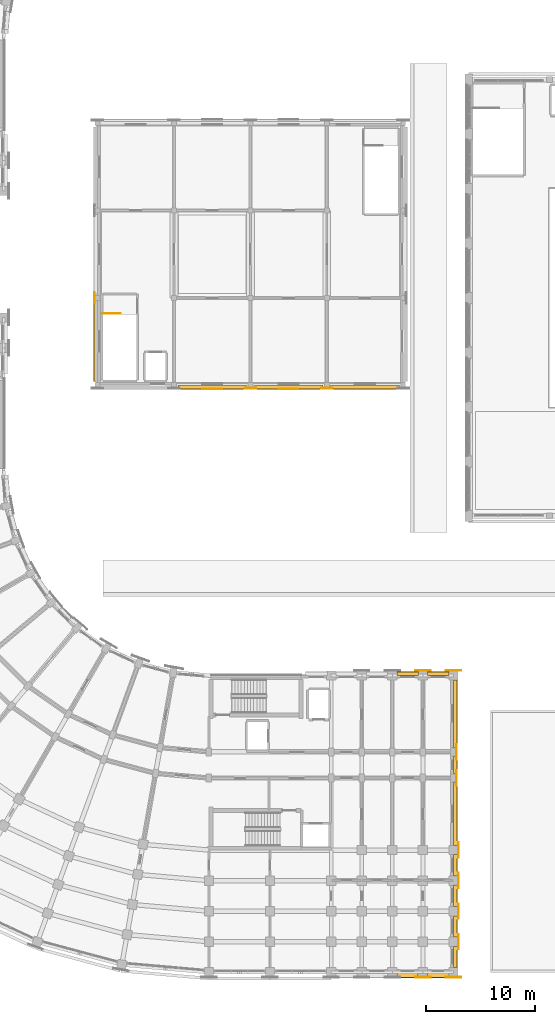
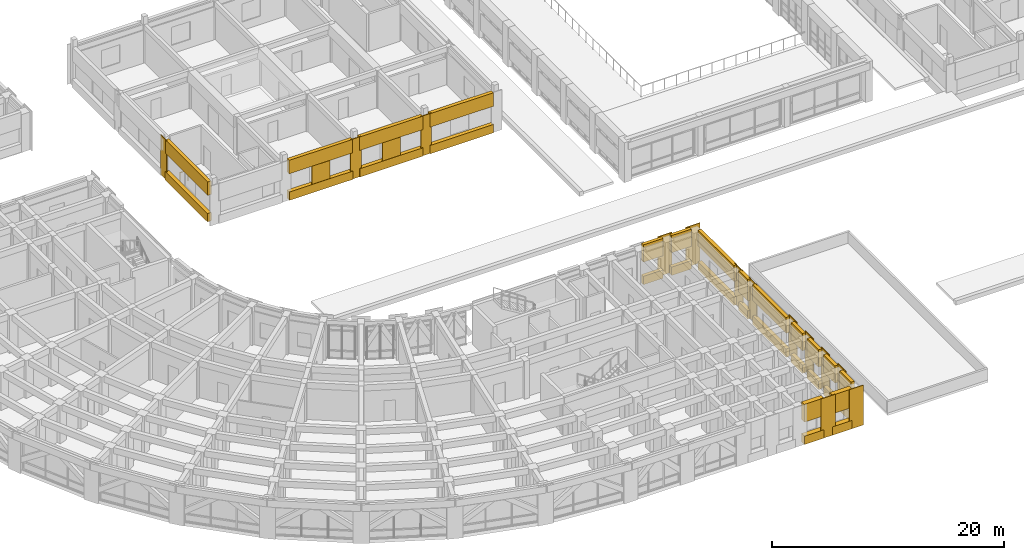
# One storey, part 85 of 97: 43 coverings, 2 shading devices, 1 railing.
"""IFC4 building model written with IfcOpenShell, lengths in metres."""

from ifc_helpers import new_model, si_unit, direction, frame, origin, origin_2d, place, context, subcontext, project, spatial, polyline, rectangle, circle, outline, extrude, material, layer, layer_set, type_object, element, save


model = new_model("IFC4")

# Units and contexts
model_context = context("Model", 3, precision=1e-05, world=origin(), true_north=direction((0.0, 1.0)))
body_context = subcontext(model_context, "Body", "Model", "MODEL_VIEW")
ifc_project = project(units=[si_unit("LENGTHUNIT", "METRE"), si_unit("AREAUNIT", "SQUARE_METRE"), si_unit("VOLUMEUNIT", "CUBIC_METRE"), si_unit("PLANEANGLEUNIT", "RADIAN"), si_unit("MASSUNIT", "GRAM", prefix="KILO")], contexts=[model_context])

# Site, building, storey
site_placement = place(None, origin())
site = spatial("IfcSite", under=ifc_project, at=site_placement, CompositionType="ELEMENT")
building_placement = place(site_placement, origin())
building = spatial("IfcBuilding", under=site, at=building_placement, Name="Kiranvali Square Residences", CompositionType="ELEMENT")
storey_placement = place(building_placement, frame((0.0, 0.0, 4.5)))
storey = spatial("IfcBuildingStorey", under=building, at=storey_placement, Name="L01", CompositionType="ELEMENT", Elevation=4.5)

# Coverings
ifc_material_1 = material(Name="Honed Porbandar limestone ashlar facade cladding", Category="masonry")
ifc_layer_1 = layer(ifc_material_1, 0.06494140625)
ifc_layer_set_1 = layer_set([ifc_layer_1], Name="Honed Porbandar limestone ashlar facade cladding")
covering_type_1 = type_object("IfcCoveringType", Name="COV-CLAD-PIER", PredefinedType="CLADDING", material=ifc_layer_set_1)
covering_1_placement = place(storey_placement, frame((0.0, 0.0, 0.0048828125)))
element("IfcCovering", 1, at=covering_1_placement, inside=storey, type_object=covering_type_1, Name="L01 Classical limestone pilaster casing CLAD-NR-L01-S2", PredefinedType="CLADDING", context=body_context, shape_type="SweptSolid", body=[
    extrude(outline(polyline([(51.469970703125, 55.681884765625), (52.530029296875, 55.681884765625), (52.530029296875, 55.74951171875), (51.469970703125, 55.74951171875), (51.469970703125, 55.681884765625)])), origin(), (0.0, 0.0, 1.0), 4.190185546875),
])
covering_2_placement = place(storey_placement, frame((0.0, 0.0, 0.0048828125)))
element("IfcCovering", 2, at=covering_2_placement, inside=storey, type_object=covering_type_1, Name="L01 Classical limestone pilaster casing CLAD-NR-L01-S3", PredefinedType="CLADDING", context=body_context, shape_type="SweptSolid", body=[
    extrude(outline(polyline([(58.469970703125, 55.681884765625), (59.530029296875, 55.681884765625), (59.530029296875, 55.74951171875), (58.469970703125, 55.74951171875), (58.469970703125, 55.681884765625)])), origin(), (0.0, 0.0, 1.0), 4.190185546875),
])
covering_3_placement = place(storey_placement, frame((0.0, 0.0, 0.0048828125)))
element("IfcCovering", 3, at=covering_3_placement, inside=storey, type_object=covering_type_1, Name="L01 Classical limestone pilaster casing CLAD-NR-L01-W1", PredefinedType="CLADDING", context=body_context, shape_type="SweptSolid", body=[
    extrude(outline(polyline([(37.74951171875, 63.469970703125), (37.74951171875, 64.530029296875), (37.681884765625, 64.530029296875), (37.681884765625, 63.469970703125), (37.74951171875, 63.469970703125)])), origin(), (0.0, 0.0, 1.0), 4.190185546875),
])
ifc_layer_2 = layer(ifc_material_1, 0.050048828125)
ifc_layer_set_2 = layer_set([ifc_layer_2], Name="Honed Porbandar limestone ashlar facade cladding")
covering_type_2 = type_object("IfcCoveringType", Name="COV-CLAD-PIER-IN", PredefinedType="CLADDING", material=ifc_layer_set_2)
covering_4_placement = place(storey_placement, frame((0.0, 0.0, 0.0048828125)))
element("IfcCovering", 4, at=covering_4_placement, inside=storey, type_object=covering_type_2, Name="L01 Classical limestone pilaster casing CLAD-PRA1I-C-L01-U195", PredefinedType="CLADDING", context=body_context, shape_type="SweptSolid", body=[
    extrude(outline(polyline([(67.094970703125, 29.825439453125), (68.5048828125, 29.825439453125), (68.5048828125, 29.89306640625), (67.094970703125, 29.89306640625), (67.094970703125, 29.825439453125)])), origin(), (0.0, 0.0, 1.0), 4.190185546875),
])
covering_5_placement = place(storey_placement, frame((0.0, 0.0, 0.0048828125)))
element("IfcCovering", 5, at=covering_5_placement, inside=storey, type_object=covering_type_2, Name="L01 Classical limestone pilaster casing CLAD-PRA1I-C-L01-U224", PredefinedType="CLADDING", context=body_context, shape_type="SweptSolid", body=[
    extrude(outline(polyline([(69.89501953125, 29.825439453125), (71.304931640625, 29.825439453125), (71.304931640625, 29.89306640625), (69.89501953125, 29.89306640625), (69.89501953125, 29.825439453125)])), origin(), (0.0, 0.0, 1.0), 4.190185546875),
])
ifc_layer_3 = layer(ifc_material_1, 0.054931640625)
ifc_layer_set_3 = layer_set([ifc_layer_3], Name="Honed Porbandar limestone ashlar facade cladding")
covering_type_3 = type_object("IfcCoveringType", Name="COV-CLAD-PIER-UP", PredefinedType="CLADDING", material=ifc_layer_set_3)
covering_6_placement = place(storey_placement, frame((0.0, 0.0, 0.0048828125)))
element("IfcCovering", 6, at=covering_6_placement, inside=storey, type_object=covering_type_3, Name="L01 Classical limestone pilaster casing CLAD-PRA1E-C-L01-R258", PredefinedType="CLADDING", context=body_context, shape_type="SweptSolid", body=[
    extrude(outline(polyline([(70.8505859375, 23.10498046875), (70.8505859375, 21.695068359375), (70.91796875, 21.695068359375), (70.91796875, 23.10498046875), (70.8505859375, 23.10498046875)])), origin(), (0.0, 0.0, 1.0), 4.190185546875),
])
covering_7_placement = place(storey_placement, frame((0.0, 0.0, 0.0048828125)))
element("IfcCovering", 7, at=covering_7_placement, inside=storey, type_object=covering_type_3, Name="L01 Classical limestone pilaster casing CLAD-PRA1E-C-L01-R282", PredefinedType="CLADDING", context=body_context, shape_type="SweptSolid", body=[
    extrude(outline(polyline([(70.8505859375, 20.705078125), (70.8505859375, 19.294921875), (70.91796875, 19.294921875), (70.91796875, 20.705078125), (70.8505859375, 20.705078125)])), origin(), (0.0, 0.0, 1.0), 4.190185546875),
])
covering_8_placement = place(storey_placement, frame((0.0, 0.0, 0.0048828125)))
element("IfcCovering", 8, at=covering_8_placement, inside=storey, type_object=covering_type_3, Name="L01 Classical limestone pilaster casing CLAD-PRA1E-C-L01-R348", PredefinedType="CLADDING", context=body_context, shape_type="SweptSolid", body=[
    extrude(outline(polyline([(71.025390625, 14.10498046875), (71.025390625, 12.695068359375), (71.093017578125, 12.695068359375), (71.093017578125, 14.10498046875), (71.025390625, 14.10498046875)])), origin(), (0.0, 0.0, 1.0), 4.190185546875),
])
covering_9_placement = place(storey_placement, frame((0.0, 0.0, 0.0048828125)))
element("IfcCovering", 9, at=covering_9_placement, inside=storey, type_object=covering_type_3, Name="L01 Classical limestone pilaster casing CLAD-PRA1E-C-L01-R376", PredefinedType="CLADDING", context=body_context, shape_type="SweptSolid", body=[
    extrude(outline(polyline([(71.025390625, 11.304931640625), (71.025390625, 9.89501953125), (71.093017578125, 9.89501953125), (71.093017578125, 11.304931640625), (71.025390625, 11.304931640625)])), origin(), (0.0, 0.0, 1.0), 4.190185546875),
])
covering_10_placement = place(storey_placement, frame((0.0, 0.0, 0.0048828125)))
element("IfcCovering", 10, at=covering_10_placement, inside=storey, type_object=covering_type_3, Name="L01 Classical limestone pilaster casing CLAD-PRA1E-C-L01-R404", PredefinedType="CLADDING", context=body_context, shape_type="SweptSolid", body=[
    extrude(outline(polyline([(71.025390625, 8.5048828125), (71.025390625, 7.094970703125), (71.093017578125, 7.094970703125), (71.093017578125, 8.5048828125), (71.025390625, 8.5048828125)])), origin(), (0.0, 0.0, 1.0), 4.190185546875),
])
covering_11_placement = place(storey_placement, frame((0.0, 0.0, 0.0048828125)))
element("IfcCovering", 11, at=covering_11_placement, inside=storey, type_object=covering_type_3, Name="L01 Classical limestone pilaster casing CLAD-PRA1E-C-L01-R432", PredefinedType="CLADDING", context=body_context, shape_type="SweptSolid", body=[
    extrude(outline(polyline([(71.025390625, 5.705078125), (71.025390625, 4.294921875), (71.093017578125, 4.294921875), (71.093017578125, 5.705078125), (71.025390625, 5.705078125)])), origin(), (0.0, 0.0, 1.0), 4.190185546875),
])
ifc_material_2 = material(Name="Alternating Deccan basalt and Porbandar limestone rusticated plinth ashlar", Category="masonry")
ifc_layer_4 = layer(ifc_material_2, 0.0849609375)
ifc_layer_set_4 = layer_set([ifc_layer_4], Name="Alternating Deccan basalt and Porbandar limestone rusticated plinth ashlar")
covering_type_4 = type_object("IfcCoveringType", Name="COV-CLAD-PLINTH", PredefinedType="CLADDING", material=ifc_layer_set_4)
covering_12_placement = place(storey_placement, frame((0.0, 0.0, 0.0048828125)))
element("IfcCovering", 12, at=covering_12_placement, inside=storey, type_object=covering_type_4, Name="L01 Classical limestone pilaster casing CLAD-PR-C-L01-U195", PredefinedType="CLADDING", context=body_context, shape_type="SweptSolid", body=[
    extrude(outline(polyline([(67.094970703125, 1.70703125), (68.5048828125, 1.70703125), (68.5048828125, 1.7744140625), (67.094970703125, 1.7744140625), (67.094970703125, 1.70703125)])), origin(), (0.0, 0.0, 1.0), 4.190185546875),
])
covering_13_placement = place(storey_placement, frame((0.0, 0.0, 0.0048828125)))
element("IfcCovering", 13, at=covering_13_placement, inside=storey, type_object=covering_type_4, Name="L01 Classical limestone pilaster casing CLAD-PR-C-L01-U224", PredefinedType="CLADDING", context=body_context, shape_type="SweptSolid", body=[
    extrude(outline(polyline([(69.89501953125, 1.70703125), (71.304931640625, 1.70703125), (71.304931640625, 1.7744140625), (69.89501953125, 1.7744140625), (69.89501953125, 1.70703125)])), origin(), (0.0, 0.0, 1.0), 4.190185546875),
])
ifc_layer_5 = layer(ifc_material_1, 0.360107421875)
ifc_layer_set_5 = layer_set([ifc_layer_5], Name="Honed Porbandar limestone ashlar facade cladding")
covering_type_5 = type_object("IfcCoveringType", Name="COV-CLAD-WALL", PredefinedType="CLADDING", material=ifc_layer_set_5)
covering_14_placement = place(storey_placement, frame((0.0, 0.0, 2.330078125)))
element("IfcCovering", 14, at=covering_14_placement, inside=storey, type_object=covering_type_5, Name="L01 light limestone spandrel lintel C-L01-A1O-4", PredefinedType="CLADDING", context=body_context, shape_type="SweptSolid", body=[
    extrude(outline(polyline([(65.43994140625, 1.72509765625), (67.360107421875, 1.72509765625), (67.360107421875, 2.199462890625), (65.43994140625, 2.199462890625), (65.43994140625, 1.72509765625)])), origin(), (0.0, 0.0, 1.0), 1.864990234375),
])
covering_15_placement = place(storey_placement, frame((0.0, 0.0, 0.0048828125)))
element("IfcCovering", 15, at=covering_15_placement, inside=storey, type_object=covering_type_5, Name="L01 limestone window sill apron C-L01-A1O-4", PredefinedType="CLADDING", context=body_context, shape_type="SweptSolid", body=[
    extrude(outline(polyline([(65.43994140625, 1.695068359375), (67.360107421875, 1.695068359375), (67.360107421875, 2.199462890625), (65.43994140625, 2.199462890625), (65.43994140625, 1.695068359375)])), origin(), (0.0, 0.0, 1.0), 0.875),
])
covering_16_placement = place(storey_placement, frame((0.0, 0.0, 2.22998046875)))
element("IfcCovering", 16, at=covering_16_placement, inside=storey, type_object=covering_type_5, Name="L01 light limestone spandrel lintel C-L01-A1O-5", PredefinedType="CLADDING", context=body_context, shape_type="SweptSolid", body=[
    extrude(outline(polyline([(68.239990234375, 1.72509765625), (70.159912109375, 1.72509765625), (70.159912109375, 2.199462890625), (68.239990234375, 2.199462890625), (68.239990234375, 1.72509765625)])), origin(), (0.0, 0.0, 1.0), 1.965087890625),
])
covering_17_placement = place(storey_placement, frame((0.0, 0.0, 0.0048828125)))
element("IfcCovering", 17, at=covering_17_placement, inside=storey, type_object=covering_type_5, Name="L01 limestone window sill apron C-L01-A1O-5", PredefinedType="CLADDING", context=body_context, shape_type="SweptSolid", body=[
    extrude(outline(polyline([(68.239990234375, 1.695068359375), (70.159912109375, 1.695068359375), (70.159912109375, 2.199462890625), (68.239990234375, 2.199462890625), (68.239990234375, 1.695068359375)])), origin(), (0.0, 0.0, 1.0), 0.875),
])
covering_18_placement = place(storey_placement, frame((0.0, 0.0, 2.3798828125)))
element("IfcCovering", 18, at=covering_18_placement, inside=storey, type_object=covering_type_5, Name="L01 light limestone spandrel lintel C-L01-A1I-2", PredefinedType="CLADDING", context=body_context, shape_type="SweptSolid", body=[
    extrude(outline(polyline([(65.419921875, 29.400390625), (67.3798828125, 29.400390625), (67.3798828125, 29.719970703125), (65.419921875, 29.719970703125), (65.419921875, 29.400390625)])), origin(), (0.0, 0.0, 1.0), 1.815185546875),
])
covering_19_placement = place(storey_placement, frame((0.0, 0.0, 0.0048828125)))
element("IfcCovering", 19, at=covering_19_placement, inside=storey, type_object=covering_type_5, Name="L01 limestone window sill apron C-L01-A1I-2", PredefinedType="CLADDING", context=body_context, shape_type="SweptSolid", body=[
    extrude(outline(polyline([(65.419921875, 29.400390625), (67.3798828125, 29.400390625), (67.3798828125, 29.75), (65.419921875, 29.75), (65.419921875, 29.400390625)])), origin(), (0.0, 0.0, 1.0), 0.875),
])
covering_20_placement = place(storey_placement, frame((0.0, 0.0, 2.3798828125)))
element("IfcCovering", 20, at=covering_20_placement, inside=storey, type_object=covering_type_5, Name="L01 light limestone spandrel lintel C-L01-A1I-3", PredefinedType="CLADDING", context=body_context, shape_type="SweptSolid", body=[
    extrude(outline(polyline([(68.219970703125, 29.400390625), (70.179931640625, 29.400390625), (70.179931640625, 29.719970703125), (68.219970703125, 29.719970703125), (68.219970703125, 29.400390625)])), origin(), (0.0, 0.0, 1.0), 1.815185546875),
])
covering_21_placement = place(storey_placement, frame((0.0, 0.0, 0.0048828125)))
element("IfcCovering", 21, at=covering_21_placement, inside=storey, type_object=covering_type_5, Name="L01 limestone window sill apron C-L01-A1I-3", PredefinedType="CLADDING", context=body_context, shape_type="SweptSolid", body=[
    extrude(outline(polyline([(68.219970703125, 29.400390625), (70.179931640625, 29.400390625), (70.179931640625, 29.75), (68.219970703125, 29.75), (68.219970703125, 29.400390625)])), origin(), (0.0, 0.0, 1.0), 0.875),
])
covering_22_placement = place(storey_placement, frame((0.0, 0.0, 2.530029296875)))
element("IfcCovering", 22, at=covering_22_placement, inside=storey, type_object=covering_type_5, Name="L01 light limestone spandrel lintel C-L01-A1END-0", PredefinedType="CLADDING", context=body_context, shape_type="SweptSolid", body=[
    extrude(outline(polyline([(70.6005859375, 28.97998046875), (70.6005859375, 22.820068359375), (70.93994140625, 22.820068359375), (70.93994140625, 28.97998046875), (70.6005859375, 28.97998046875)])), origin(), (0.0, 0.0, 1.0), 1.6650390625),
])
covering_23_placement = place(storey_placement, frame((0.0, 0.0, 0.0048828125)))
element("IfcCovering", 23, at=covering_23_placement, inside=storey, type_object=covering_type_5, Name="L01 limestone window sill apron C-L01-A1END-0", PredefinedType="CLADDING", context=body_context, shape_type="SweptSolid", body=[
    extrude(outline(polyline([(70.6005859375, 28.97998046875), (70.6005859375, 22.820068359375), (70.969970703125, 22.820068359375), (70.969970703125, 28.97998046875), (70.6005859375, 28.97998046875)])), origin(), (0.0, 0.0, 1.0), 0.875),
])
covering_24_placement = place(storey_placement, frame((0.0, 0.0, 1.929931640625)))
element("IfcCovering", 24, at=covering_24_placement, inside=storey, type_object=covering_type_5, Name="L01 light limestone spandrel lintel C-L01-A1END-1", PredefinedType="CLADDING", context=body_context, shape_type="SweptSolid", body=[
    extrude(outline(polyline([(70.6005859375, 21.97998046875), (70.6005859375, 20.419921875), (70.93994140625, 20.419921875), (70.93994140625, 21.97998046875), (70.6005859375, 21.97998046875)])), origin(), (0.0, 0.0, 1.0), 2.26513671875),
])
covering_25_placement = place(storey_placement, frame((0.0, 0.0, 0.0048828125)))
element("IfcCovering", 25, at=covering_25_placement, inside=storey, type_object=covering_type_5, Name="L01 limestone window sill apron C-L01-A1END-1", PredefinedType="CLADDING", context=body_context, shape_type="SweptSolid", body=[
    extrude(outline(polyline([(70.6005859375, 21.97998046875), (70.6005859375, 20.419921875), (70.969970703125, 20.419921875), (70.969970703125, 21.97998046875), (70.6005859375, 21.97998046875)])), origin(), (0.0, 0.0, 1.0), 0.875),
])
covering_26_placement = place(storey_placement, frame((0.0, 0.0, 2.530029296875)))
element("IfcCovering", 26, at=covering_26_placement, inside=storey, type_object=covering_type_5, Name="L01 light limestone spandrel lintel C-L01-A1END-2", PredefinedType="CLADDING", context=body_context, shape_type="SweptSolid", body=[
    extrude(outline(polyline([(70.6005859375, 19.580078125), (70.6005859375, 13.820068359375), (70.93994140625, 13.820068359375), (70.93994140625, 19.580078125), (70.6005859375, 19.580078125)])), origin(), (0.0, 0.0, 1.0), 1.6650390625),
])
covering_27_placement = place(storey_placement, frame((0.0, 0.0, 0.0048828125)))
element("IfcCovering", 27, at=covering_27_placement, inside=storey, type_object=covering_type_5, Name="L01 limestone window sill apron C-L01-A1END-2", PredefinedType="CLADDING", context=body_context, shape_type="SweptSolid", body=[
    extrude(outline(polyline([(70.6005859375, 19.580078125), (70.6005859375, 13.820068359375), (70.969970703125, 13.820068359375), (70.969970703125, 19.580078125), (70.6005859375, 19.580078125)])), origin(), (0.0, 0.0, 1.0), 0.875),
])
covering_28_placement = place(storey_placement, frame((0.0, 0.0, 2.3798828125)))
element("IfcCovering", 28, at=covering_28_placement, inside=storey, type_object=covering_type_5, Name="L01 light limestone spandrel lintel C-L01-A1END-3", PredefinedType="CLADDING", context=body_context, shape_type="SweptSolid", body=[
    extrude(outline(polyline([(70.6005859375, 12.97998046875), (70.6005859375, 11.02001953125), (70.93994140625, 11.02001953125), (70.93994140625, 12.97998046875), (70.6005859375, 12.97998046875)])), origin(), (0.0, 0.0, 1.0), 1.815185546875),
])
covering_29_placement = place(storey_placement, frame((0.0, 0.0, 0.0048828125)))
element("IfcCovering", 29, at=covering_29_placement, inside=storey, type_object=covering_type_5, Name="L01 limestone window sill apron C-L01-A1END-3", PredefinedType="CLADDING", context=body_context, shape_type="SweptSolid", body=[
    extrude(outline(polyline([(70.6005859375, 12.97998046875), (70.6005859375, 11.02001953125), (70.969970703125, 11.02001953125), (70.969970703125, 12.97998046875), (70.6005859375, 12.97998046875)])), origin(), (0.0, 0.0, 1.0), 0.875),
])
covering_30_placement = place(storey_placement, frame((0.0, 0.0, 2.3798828125)))
element("IfcCovering", 30, at=covering_30_placement, inside=storey, type_object=covering_type_5, Name="L01 light limestone spandrel lintel C-L01-A1END-4", PredefinedType="CLADDING", context=body_context, shape_type="SweptSolid", body=[
    extrude(outline(polyline([(70.6005859375, 10.179931640625), (70.6005859375, 8.219970703125), (70.93994140625, 8.219970703125), (70.93994140625, 10.179931640625), (70.6005859375, 10.179931640625)])), origin(), (0.0, 0.0, 1.0), 1.815185546875),
])
covering_31_placement = place(storey_placement, frame((0.0, 0.0, 0.0048828125)))
element("IfcCovering", 31, at=covering_31_placement, inside=storey, type_object=covering_type_5, Name="L01 limestone window sill apron C-L01-A1END-4", PredefinedType="CLADDING", context=body_context, shape_type="SweptSolid", body=[
    extrude(outline(polyline([(70.6005859375, 10.179931640625), (70.6005859375, 8.219970703125), (70.969970703125, 8.219970703125), (70.969970703125, 10.179931640625), (70.6005859375, 10.179931640625)])), origin(), (0.0, 0.0, 1.0), 0.875),
])
covering_32_placement = place(storey_placement, frame((0.0, 0.0, 2.3798828125)))
element("IfcCovering", 32, at=covering_32_placement, inside=storey, type_object=covering_type_5, Name="L01 light limestone spandrel lintel C-L01-A1END-5", PredefinedType="CLADDING", context=body_context, shape_type="SweptSolid", body=[
    extrude(outline(polyline([(70.6005859375, 7.3798828125), (70.6005859375, 5.419921875), (70.93994140625, 5.419921875), (70.93994140625, 7.3798828125), (70.6005859375, 7.3798828125)])), origin(), (0.0, 0.0, 1.0), 1.815185546875),
])
covering_33_placement = place(storey_placement, frame((0.0, 0.0, 0.0048828125)))
element("IfcCovering", 33, at=covering_33_placement, inside=storey, type_object=covering_type_5, Name="L01 limestone window sill apron C-L01-A1END-5", PredefinedType="CLADDING", context=body_context, shape_type="SweptSolid", body=[
    extrude(outline(polyline([(70.6005859375, 7.3798828125), (70.6005859375, 5.419921875), (70.969970703125, 5.419921875), (70.969970703125, 7.3798828125), (70.6005859375, 7.3798828125)])), origin(), (0.0, 0.0, 1.0), 0.875),
])
covering_34_placement = place(storey_placement, frame((0.0, 0.0, 2.3798828125)))
element("IfcCovering", 34, at=covering_34_placement, inside=storey, type_object=covering_type_5, Name="L01 light limestone spandrel lintel C-L01-A1END-6", PredefinedType="CLADDING", context=body_context, shape_type="SweptSolid", body=[
    extrude(outline(polyline([(70.6005859375, 4.580078125), (70.6005859375, 2.6201171875), (70.93994140625, 2.6201171875), (70.93994140625, 4.580078125), (70.6005859375, 4.580078125)])), origin(), (0.0, 0.0, 1.0), 1.815185546875),
])
covering_35_placement = place(storey_placement, frame((0.0, 0.0, 0.0048828125)))
element("IfcCovering", 35, at=covering_35_placement, inside=storey, type_object=covering_type_5, Name="L01 limestone window sill apron C-L01-A1END-6", PredefinedType="CLADDING", context=body_context, shape_type="SweptSolid", body=[
    extrude(outline(polyline([(70.6005859375, 4.580078125), (70.6005859375, 2.6201171875), (70.969970703125, 2.6201171875), (70.969970703125, 4.580078125), (70.6005859375, 4.580078125)])), origin(), (0.0, 0.0, 1.0), 0.875),
])
covering_36_placement = place(storey_placement, frame((0.0, 0.0, 2.780029296875)))
element("IfcCovering", 36, at=covering_36_placement, inside=storey, type_object=covering_type_5, Name="L01 light limestone spandrel lintel NR-L01-S-1", PredefinedType="CLADDING", context=body_context, shape_type="SweptSolid", body=[
    extrude(outline(polyline([(45.35009765625, 55.64990234375), (51.64990234375, 55.64990234375), (51.64990234375, 55.99951171875), (45.35009765625, 55.99951171875), (45.35009765625, 55.64990234375)])), origin(), (0.0, 0.0, 1.0), 1.4150390625),
])
covering_37_placement = place(storey_placement, frame((0.0, 0.0, 0.0048828125)))
element("IfcCovering", 37, at=covering_37_placement, inside=storey, type_object=covering_type_5, Name="L01 limestone window sill apron NR-L01-S-1", PredefinedType="CLADDING", context=body_context, shape_type="SweptSolid", body=[
    extrude(outline(polyline([(45.35009765625, 55.6201171875), (51.64990234375, 55.6201171875), (51.64990234375, 55.99951171875), (45.35009765625, 55.99951171875), (45.35009765625, 55.6201171875)])), origin(), (0.0, 0.0, 1.0), 0.875),
])
covering_38_placement = place(storey_placement, frame((0.0, 0.0, 2.780029296875)))
element("IfcCovering", 38, at=covering_38_placement, inside=storey, type_object=covering_type_5, Name="L01 light limestone spandrel lintel NR-L01-S-2", PredefinedType="CLADDING", context=body_context, shape_type="SweptSolid", body=[
    extrude(outline(polyline([(52.35009765625, 55.64990234375), (58.64990234375, 55.64990234375), (58.64990234375, 55.99951171875), (52.35009765625, 55.99951171875), (52.35009765625, 55.64990234375)])), origin(), (0.0, 0.0, 1.0), 1.4150390625),
])
covering_39_placement = place(storey_placement, frame((0.0, 0.0, 0.0048828125)))
element("IfcCovering", 39, at=covering_39_placement, inside=storey, type_object=covering_type_5, Name="L01 limestone window sill apron NR-L01-S-2", PredefinedType="CLADDING", context=body_context, shape_type="SweptSolid", body=[
    extrude(outline(polyline([(52.35009765625, 55.6201171875), (58.64990234375, 55.6201171875), (58.64990234375, 55.99951171875), (52.35009765625, 55.99951171875), (52.35009765625, 55.6201171875)])), origin(), (0.0, 0.0, 1.0), 0.875),
])
covering_40_placement = place(storey_placement, frame((0.0, 0.0, 2.780029296875)))
element("IfcCovering", 40, at=covering_40_placement, inside=storey, type_object=covering_type_5, Name="L01 light limestone spandrel lintel NR-L01-S-3", PredefinedType="CLADDING", context=body_context, shape_type="SweptSolid", body=[
    extrude(outline(polyline([(59.35009765625, 55.64990234375), (65.64990234375, 55.64990234375), (65.64990234375, 55.99951171875), (59.35009765625, 55.99951171875), (59.35009765625, 55.64990234375)])), origin(), (0.0, 0.0, 1.0), 1.4150390625),
])
covering_41_placement = place(storey_placement, frame((0.0, 0.0, 0.0048828125)))
element("IfcCovering", 41, at=covering_41_placement, inside=storey, type_object=covering_type_5, Name="L01 limestone window sill apron NR-L01-S-3", PredefinedType="CLADDING", context=body_context, shape_type="SweptSolid", body=[
    extrude(outline(polyline([(59.35009765625, 55.6201171875), (65.64990234375, 55.6201171875), (65.64990234375, 55.99951171875), (59.35009765625, 55.99951171875), (59.35009765625, 55.6201171875)])), origin(), (0.0, 0.0, 1.0), 0.875),
])
covering_42_placement = place(storey_placement, frame((0.0, 0.0, 2.780029296875)))
element("IfcCovering", 42, at=covering_42_placement, inside=storey, type_object=covering_type_5, Name="L01 light limestone spandrel lintel NR-L01-W-0", PredefinedType="CLADDING", context=body_context, shape_type="SweptSolid", body=[
    extrude(outline(polyline([(37.99951171875, 56.35009765625), (37.99951171875, 63.64990234375), (37.64990234375, 63.64990234375), (37.64990234375, 56.35009765625), (37.99951171875, 56.35009765625)])), origin(), (0.0, 0.0, 1.0), 1.4150390625),
])
covering_43_placement = place(storey_placement, frame((0.0, 0.0, 0.0048828125)))
element("IfcCovering", 43, at=covering_43_placement, inside=storey, type_object=covering_type_5, Name="L01 limestone window sill apron NR-L01-W-0", PredefinedType="CLADDING", context=body_context, shape_type="SweptSolid", body=[
    extrude(outline(polyline([(37.99951171875, 56.35009765625), (37.99951171875, 63.64990234375), (37.6201171875, 63.64990234375), (37.6201171875, 56.35009765625), (37.99951171875, 56.35009765625)])), origin(), (0.0, 0.0, 1.0), 0.875),
])

# Railing
ifc_material_3 = material(Name="Powder-coated architectural bronze balustrade", Category="steel")
railing_type = type_object("IfcRailingType", Name="RL-ST-GUARD-1200", PredefinedType="GUARDRAIL", material=ifc_material_3)
railing_placement = place(storey_placement, frame((38.449951171875, 62.550048828125, 0.0)))
element("IfcRailing", 44, at=railing_placement, inside=storey, type_object=railing_type, Name="L01 ST-NR1 top well guard 1", PredefinedType="GUARDRAIL", context=body_context, shape_type="SweptSolid", body=[
    extrude(circle(Radius=0.02392578125, at=origin_2d()), frame((0.0, 0.0, 1.1259765625), z_axis=(1.0, 0.0, 0.0), x_axis=(0.0, 1.0, 0.0)), (0.0, 0.0, 1.0), 1.650146484375),
    extrude(circle(Radius=0.02099609375, at=origin_2d()), origin(), (0.0, 0.0, 1.0), 1.101806640625),
    extrude(circle(Radius=0.02099609375, at=origin_2d()), frame((0.8251953125, 0.0, 0.0)), (0.0, 0.0, 1.0), 1.101806640625),
    extrude(circle(Radius=0.02099609375, at=origin_2d()), frame((1.650146484375, 0.0, 0.0)), (0.0, 0.0, 1.0), 1.101806640625),
])

# Shading devices
ifc_material_4 = material(Name="Pierced buff sandstone architectural mashrabiya solar screen", Category="masonry")
shading_device_type = type_object("IfcShadingDeviceType", Name="SHD-JALI-1800", PredefinedType="JALOUSIE", material=ifc_material_4)
for number, where, z_axis, x_axis, name in (
    (45, (48.5, 55.669921875, 0.880126953125), (0.0, 0.0, 1.0), (1.0, 0.0, 0.0), "L01 carved stone Mashrabiya screen NR-L01-S-1"),
    (46, (55.5, 55.669921875, 0.880126953125), (0.0, 0.0, 1.0), (1.0, 0.0, 0.0), "L01 carved stone Mashrabiya screen NR-L01-S-2"),
):
    element("IfcShadingDevice", number, at=place(storey_placement, frame(where, z_axis=z_axis, x_axis=x_axis)), inside=storey, type_object=shading_device_type, Name=name, PredefinedType="JALOUSIE", context=body_context, shape_type="SweptSolid", body=[
        extrude(rectangle(XDim=1.800048828125, YDim=0.044921875, at=origin_2d()), origin(), (0.0, 0.0, 1.0), 1.89990234375),
    ])

save(model, "model.ifc")
